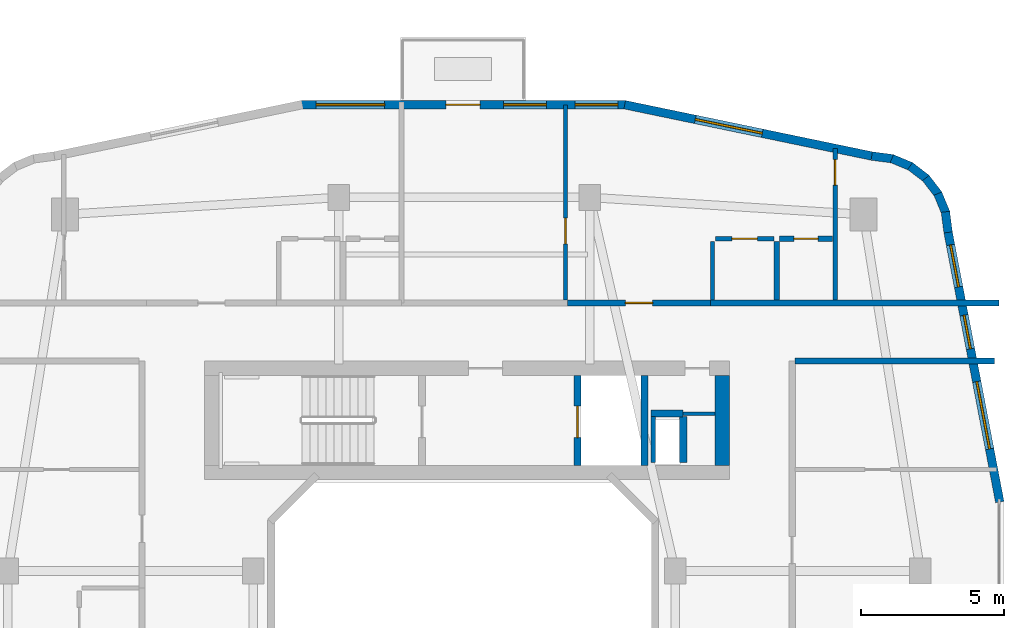
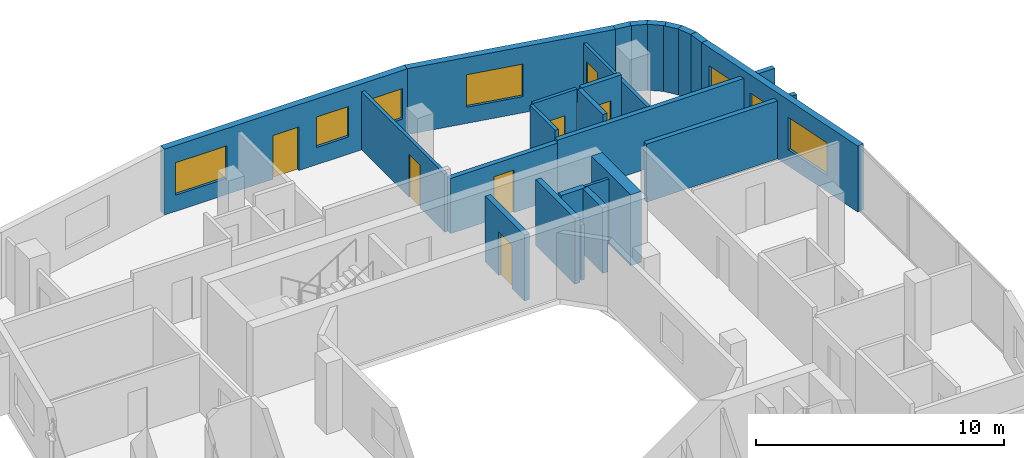
# One storey, part 16 of 22: 25 walls, 7 doors, 7 windows, 14 openings.
"""IFC4 building model written with IfcOpenShell, lengths in metres."""

from ifc_helpers import new_model, si_unit, derived_unit, direction, frame, frame_2d, origin, place, context, subcontext, project, spatial, rectangle, extrude, material, layer, layer_set, type_object, element, fill, save


model = new_model("IFC4")

# Units and contexts
model_context = context("Model", 3, precision=1e-05, world=origin(), true_north=direction((0.0, 1.0)))
body_context = subcontext(model_context, "Body", "Model", "MODEL_VIEW")
ifc_project = project(units=[si_unit("LENGTHUNIT", "METRE"), si_unit("AREAUNIT", "SQUARE_METRE"), si_unit("VOLUMEUNIT", "CUBIC_METRE"), si_unit("PLANEANGLEUNIT", "RADIAN"), si_unit("MASSUNIT", "GRAM", prefix="KILO"), derived_unit("THERMALTRANSMITTANCEUNIT", [(si_unit("POWERUNIT", "WATT"), 1), (si_unit("LENGTHUNIT", "METRE"), -2), (si_unit("THERMODYNAMICTEMPERATUREUNIT", "KELVIN"), -1)])], contexts=[model_context])

# Site, building, storey
site_placement = place(None, origin())
site = spatial("IfcSite", under=ifc_project, at=site_placement, CompositionType="ELEMENT")
building_placement = place(site_placement, origin())
building = spatial("IfcBuilding", under=site, at=building_placement, Name="Kivonza Crest Hotel", CompositionType="ELEMENT")
storey_placement = place(building_placement, frame((0.0, 0.0, 59.0)))
storey = spatial("IfcBuildingStorey", under=building, at=storey_placement, Name="L15", CompositionType="ELEMENT", Elevation=59.0)

# Wall
ifc_material_1 = material(Name="Autoclaved aerated concrete blockwork", Category="masonry")
ifc_layer_1 = layer(ifc_material_1, 0.219970703125)
ifc_layer_set_1 = layer_set([ifc_layer_1], Name="Autoclaved aerated concrete blockwork")
wall_type_1 = type_object("IfcWallType", Name="WL-ACOU-220", PredefinedType="SOLIDWALL", material=ifc_layer_set_1)
wall_1_placement = place(storey_placement, frame((85.6298828125, 37.89990234375, 0.0), z_axis=(0.0, 0.0, 1.0), x_axis=(1.0, 0.0, 0.0)))
element("IfcWall", 1, at=wall_1_placement, inside=storey, type_object=wall_type_1, Name="L15 interior partition WA-L15-A02-RCORR", PredefinedType="SOLIDWALL", context=body_context, shape_type="SweptSolid", body=[
    extrude(rectangle(XDim=10.130126953125, YDim=0.219970703125, at=frame_2d((5.06494140625, 0.0))), origin(), (0.0, 0.0, 1.0), 2.864990234375),
])

# Wall, opening, door
wall_2_placement = place(storey_placement, frame((80.6298828125, 37.89990234375, 0.0), z_axis=(0.0, 0.0, 1.0), x_axis=(1.0, 0.0, 0.0)))
wall_2 = element("IfcWall", 2, at=wall_2_placement, inside=storey, type_object=wall_type_1, Name="L15 interior partition WA-L15-A02-MCORR", PredefinedType="SOLIDWALL", context=body_context, shape_type="SweptSolid", body=[
    extrude(rectangle(XDim=5.0, YDim=0.219970703125, at=frame_2d((2.5, 0.0))), origin(), (0.0, 0.0, 1.0), 2.72509765625),
])
opening_1_placement = place(wall_2_placement, frame((2.02490234375, 0.0, 0.0)))
opening_1 = element("IfcOpeningElement", 3, at=opening_1_placement, cuts=wall_2, Name="Opening DU-60", PredefinedType="OPENING", context=body_context, shape_type="SweptSolid", body=[
    extrude(rectangle(XDim=0.949951171875, YDim=2.10009765625, at=frame_2d((0.47509765625, 1.050048828125))), frame((0.0, 0.1201171875, 0.0), z_axis=(0.0, -1.0, 0.0), x_axis=(1.0, 0.0, 0.0)), (0.0, 0.0, 1.0), 0.239990234375),
])
ifc_material_2 = material(Name="Hardwood timber oak", Category="wood")
door_type_1 = type_object("IfcDoorType", Name="DR-UNIT-950", OperationType="NOTDEFINED", PredefinedType="DOOR", material=ifc_material_2)
door_1_placement = place(opening_1_placement, origin())
door_1 = element("IfcDoor", 4, at=door_1_placement, inside=storey, type_object=door_type_1, Name="L15 A02 apartment entrance fire door", OperationType="SINGLE_SWING_RIGHT", OverallHeight=2.10009765625, OverallWidth=0.949951171875, PredefinedType="DOOR", context=body_context, shape_type="SweptSolid", body=[
    extrude(rectangle(XDim=0.949951171875, YDim=2.10009765625, at=frame_2d((0.47509765625, 1.050048828125))), frame((0.0, 0.02490234375, 0.0), z_axis=(0.0, -1.0, 0.0), x_axis=(1.0, 0.0, 0.0)), (0.0, 0.0, 1.0), 0.050048828125),
])
fill(opening_1, door_1)

# Walls
wall_3_placement = place(storey_placement, frame((88.60009765625, 35.860107421875, 0.0), z_axis=(0.0, 0.0, 1.0), x_axis=(1.0, 0.0, 0.0)))
element("IfcWall", 5, at=wall_3_placement, inside=storey, type_object=wall_type_1, Name="L15 interior partition WA-L15-T2E-ENDN", PredefinedType="SOLIDWALL", context=body_context, shape_type="SweptSolid", body=[
    extrude(rectangle(XDim=7.0, YDim=0.219970703125, at=frame_2d((3.5, 0.0))), origin(), (0.0, 0.0, 1.0), 2.864990234375),
])
ifc_material_3 = material(Name="Concrete C60/75", Category="concrete")
ifc_layer_2 = layer(ifc_material_3, 0.5)
ifc_layer_set_2 = layer_set([ifc_layer_2], Name="Concrete C60/75")
wall_type_2 = type_object("IfcWallType", Name="WL-CORE-500", PredefinedType="SHEAR", material=ifc_layer_set_2)
wall_4_placement = place(storey_placement, frame((86.050048828125, 32.199951171875, 0.0), z_axis=(0.0, 0.0, 1.0), x_axis=(0.0, 1.0, 0.0)))
element("IfcWall", 6, at=wall_4_placement, inside=storey, type_object=wall_type_2, Name="Core wall T2-N East L15", PredefinedType="SHEAR", context=body_context, shape_type="SweptSolid", body=[
    extrude(rectangle(XDim=3.16015625, YDim=0.5, at=frame_2d((1.580078125, 0.0))), origin(), (0.0, 0.0, 1.0), 3.5),
])

# Wall, openings, windows
ifc_material_4 = material(Name="Precast concrete C40/50", Category="concrete")
ifc_layer_3 = layer(ifc_material_4, 0.300048828125)
ifc_layer_set_3 = layer_set([ifc_layer_3], Name="Precast concrete C40/50")
wall_type_3 = type_object("IfcWallType", Name="WL-EXT-300", PredefinedType="STANDARD", material=ifc_layer_set_3)
wall_5_placement = place(storey_placement, frame((95.782958984375, 30.91796875, 0.0), z_axis=(0.0, 0.0, 1.0), x_axis=(-0.188087874316, 0.982152203854, 0.0)))
wall_5 = element("IfcWall", 7, at=wall_5_placement, inside=storey, type_object=wall_type_3, Name="L15 T2 exterior insulated wall 18", PredefinedType="STANDARD", context=body_context, shape_type="SweptSolid", body=[
    extrude(rectangle(XDim=9.6337890625, YDim=0.300048828125, at=frame_2d((4.81689453125, 0.0))), origin(), (0.0, 0.0, 1.0), 3.25),
])
opening_2_placement = place(wall_5_placement, frame((1.89697265625, 0.0, 0.800048828125)))
opening_2 = element("IfcOpeningElement", 8, at=opening_2_placement, cuts=wall_5, Name="Opening WN-05", PredefinedType="OPENING", context=body_context, shape_type="SweptSolid", body=[
    extrude(rectangle(XDim=2.39990234375, YDim=1.60009765625, at=frame_2d((1.199951171875, 0.800048828125))), frame((0.0, 0.16015625, 0.0), z_axis=(0.0, -1.0, 0.0), x_axis=(1.0, 0.0, 0.0)), (0.0, 0.0, 1.0), 0.320068359375),
])
opening_3_placement = place(wall_5_placement, frame((5.469970703125, 0.0, 0.85009765625)))
opening_3 = element("IfcOpeningElement", 9, at=opening_3_placement, cuts=wall_5, Name="Opening WN-01", PredefinedType="OPENING", context=body_context, shape_type="SweptSolid", body=[
    extrude(rectangle(XDim=1.199951171875, YDim=1.5, at=frame_2d((0.60009765625, 0.75))), frame((0.0, 0.16015625, 0.0), z_axis=(0.0, -1.0, 0.0), x_axis=(1.0, 0.0, 0.0)), (0.0, 0.0, 1.0), 0.320068359375),
])
opening_4_placement = place(wall_5_placement, frame((7.681884765625, 0.0, 0.85009765625)))
opening_4 = element("IfcOpeningElement", 10, at=opening_4_placement, cuts=wall_5, Name="Opening WN-02", PredefinedType="OPENING", context=body_context, shape_type="SweptSolid", body=[
    extrude(rectangle(XDim=1.5, YDim=1.5, at=frame_2d((0.75, 0.75))), frame((0.0, 0.16015625, 0.0), z_axis=(0.0, -1.0, 0.0), x_axis=(1.0, 0.0, 0.0)), (0.0, 0.0, 1.0), 0.320068359375),
])
ifc_material_5 = material(Name="Thermally broken bronze aluminium and low-E double glazing", Category="aluminium")
window_type_1 = type_object("IfcWindowType", Name="WN-120x150", PartitioningType="SINGLE_PANEL", PredefinedType="WINDOW", material=ifc_material_5)
window_1_placement = place(opening_3_placement, origin())
window_1 = element("IfcWindow", 11, at=window_1_placement, inside=storey, type_object=window_type_1, Name="L15 T2 facade window 18 bay 2", OverallHeight=1.5, OverallWidth=1.199951171875, PartitioningType="SINGLE_PANEL", PredefinedType="WINDOW", context=body_context, shape_type="SweptSolid", body=[
    extrude(rectangle(XDim=1.199951171875, YDim=1.5, at=frame_2d((0.60009765625, 0.75))), frame((0.0, 0.030029296875, 0.0), z_axis=(0.0, -1.0, 0.0), x_axis=(1.0, 0.0, 0.0)), (0.0, 0.0, 1.0), 0.06005859375),
])
fill(opening_3, window_1)
window_type_2 = type_object("IfcWindowType", Name="WN-150x150", PartitioningType="DOUBLE_PANEL_VERTICAL", PredefinedType="WINDOW", material=ifc_material_5)
window_2_placement = place(opening_4_placement, origin())
window_2 = element("IfcWindow", 12, at=window_2_placement, inside=storey, type_object=window_type_2, Name="L15 T2 facade window 18 bay 3", OverallHeight=1.5, OverallWidth=1.5, PartitioningType="SINGLE_PANEL", PredefinedType="WINDOW", context=body_context, shape_type="SweptSolid", body=[
    extrude(rectangle(XDim=1.5, YDim=1.5, at=frame_2d((0.75, 0.75))), frame((0.0, 0.030029296875, 0.0), z_axis=(0.0, -1.0, 0.0), x_axis=(1.0, 0.0, 0.0)), (0.0, 0.0, 1.0), 0.06005859375),
])
fill(opening_4, window_2)
window_type_3 = type_object("IfcWindowType", Name="WN-240x160", PartitioningType="TRIPLE_PANEL_VERTICAL", PredefinedType="WINDOW", material=ifc_material_5)
window_3_placement = place(opening_2_placement, origin())
window_3 = element("IfcWindow", 13, at=window_3_placement, inside=storey, type_object=window_type_3, Name="L15 T2 facade window 18 bay 1", OverallHeight=1.60009765625, OverallWidth=2.39990234375, PartitioningType="SINGLE_PANEL", PredefinedType="WINDOW", context=body_context, shape_type="SweptSolid", body=[
    extrude(rectangle(XDim=2.39990234375, YDim=1.60009765625, at=frame_2d((1.199951171875, 0.800048828125))), frame((0.0, 0.030029296875, 0.0), z_axis=(0.0, -1.0, 0.0), x_axis=(1.0, 0.0, 0.0)), (0.0, 0.0, 1.0), 0.06005859375),
])
fill(opening_2, window_3)

# Walls
wall_6_placement = place(storey_placement, frame((93.971923828125, 40.373046875, 0.0), z_axis=(0.0, 0.0, 1.0), x_axis=(-0.130255288807, 0.991480488834, 0.0)))
element("IfcWall", 14, at=wall_6_placement, inside=storey, type_object=wall_type_3, Name="L15 T2 exterior insulated wall 19", PredefinedType="STANDARD", context=body_context, shape_type="SweptSolid", body=[
    extrude(rectangle(XDim=0.72900390625, YDim=0.300048828125, at=frame_2d((0.364501953125, 0.0))), origin(), (0.0, 0.0, 1.0), 3.25),
])
wall_7_placement = place(storey_placement, frame((93.89599609375, 41.044921875, 0.0), z_axis=(0.0, 0.0, 1.0), x_axis=(-0.383267045233, 0.923637576129, 0.0)))
element("IfcWall", 15, at=wall_7_placement, inside=storey, type_object=wall_type_3, Name="L15 T2 exterior insulated wall 20", PredefinedType="STANDARD", context=body_context, shape_type="SweptSolid", body=[
    extrude(rectangle(XDim=0.745849609375, YDim=0.300048828125, at=frame_2d((0.373046875, 0.0))), origin(), (0.0, 0.0, 1.0), 3.25),
])
for number, where, z_axis, x_axis, name in (
    (16, (93.64111328125, 41.68896484375, 0.0), (0.0, 0.0, 1.0), (-0.608603261071, 0.793474681772, 0.0), "L15 T2 exterior insulated wall 21"),
    (17, (93.22900390625, 42.24609375, 0.0), (0.0, 0.0, 1.0), (-0.79363269798, 0.608397189915, 0.0), "L15 T2 exterior insulated wall 22"),
):
    element("IfcWall", number, at=place(storey_placement, frame(where, z_axis=z_axis, x_axis=x_axis)), inside=storey, type_object=wall_type_3, Name=name, PredefinedType="STANDARD", context=body_context, shape_type="SweptSolid", body=[
        extrude(rectangle(XDim=0.74609375, YDim=0.300048828125, at=frame_2d((0.373046875, 0.0))), origin(), (0.0, 0.0, 1.0), 3.25),
    ])
wall_8_placement = place(storey_placement, frame((92.68603515625, 42.676025390625, 0.0), z_axis=(0.0, 0.0, 1.0), x_axis=(-0.923637576129, 0.383267045233, 0.0)))
element("IfcWall", 18, at=wall_8_placement, inside=storey, type_object=wall_type_3, Name="L15 T2 exterior insulated wall 23", PredefinedType="STANDARD", context=body_context, shape_type="SweptSolid", body=[
    extrude(rectangle(XDim=0.745849609375, YDim=0.300048828125, at=frame_2d((0.373046875, 0.0))), origin(), (0.0, 0.0, 1.0), 3.25),
])
wall_9_placement = place(storey_placement, frame((92.051025390625, 42.952880859375, 0.0), z_axis=(0.0, 0.0, 1.0), x_axis=(-0.991559404866, 0.129653178221, 0.0)))
element("IfcWall", 19, at=wall_9_placement, inside=storey, type_object=wall_type_3, Name="L15 T2 exterior insulated wall 24", PredefinedType="STANDARD", context=body_context, shape_type="SweptSolid", body=[
    extrude(rectangle(XDim=0.764404296875, YDim=0.300048828125, at=frame_2d((0.38232421875, 0.0))), origin(), (0.0, 0.0, 1.0), 3.25),
])

# Wall, opening, window
wall_10_placement = place(storey_placement, frame((91.298095703125, 43.051025390625, 0.0), z_axis=(0.0, 0.0, 1.0), x_axis=(-0.979120793441, 0.203279295189, 0.0)))
wall_10 = element("IfcWall", 20, at=wall_10_placement, inside=storey, type_object=wall_type_3, Name="L15 T2 exterior insulated wall 25", PredefinedType="STANDARD", context=body_context, shape_type="SweptSolid", body=[
    extrude(rectangle(XDim=8.85498046875, YDim=0.300048828125, at=frame_2d((4.427490234375, 0.0))), origin(), (0.0, 0.0, 1.0), 3.25),
])
opening_5_placement = place(wall_10_placement, frame((3.925048828125, 0.0, 0.800048828125)))
opening_5 = element("IfcOpeningElement", 21, at=opening_5_placement, cuts=wall_10, Name="Opening WN-05", PredefinedType="OPENING", context=body_context, shape_type="SweptSolid", body=[
    extrude(rectangle(XDim=2.39990234375, YDim=1.60009765625, at=frame_2d((1.199951171875, 0.800048828125))), frame((0.0, 0.16015625, 0.0), z_axis=(0.0, -1.0, 0.0), x_axis=(1.0, 0.0, 0.0)), (0.0, 0.0, 1.0), 0.320068359375),
])
window_4_placement = place(opening_5_placement, origin())
window_4 = element("IfcWindow", 22, at=window_4_placement, inside=storey, type_object=window_type_3, Name="L15 T2 facade window 25", OverallHeight=1.60009765625, OverallWidth=2.39990234375, PartitioningType="SINGLE_PANEL", PredefinedType="WINDOW", context=body_context, shape_type="SweptSolid", body=[
    extrude(rectangle(XDim=2.39990234375, YDim=1.60009765625, at=frame_2d((1.199951171875, 0.800048828125))), frame((0.0, 0.030029296875, 0.0), z_axis=(0.0, -1.0, 0.0), x_axis=(1.0, 0.0, 0.0)), (0.0, 0.0, 1.0), 0.06005859375),
])
fill(opening_5, window_4)

# Wall, openings, door, windows
wall_11_placement = place(storey_placement, frame((82.673095703125, 44.85009765625, 0.0), z_axis=(0.0, 0.0, 1.0), x_axis=(-1.0, 0.0, 0.0)))
wall_11 = element("IfcWall", 23, at=wall_11_placement, inside=storey, type_object=wall_type_3, Name="L15 T2 exterior insulated wall 26", PredefinedType="STANDARD", context=body_context, shape_type="SweptSolid", body=[
    extrude(rectangle(XDim=11.39111328125, YDim=0.300048828125, at=frame_2d((5.695556640625, 0.0))), origin(), (0.0, 0.0, 1.0), 3.25),
])
opening_6_placement = place(wall_11_placement, frame((5.113037109375, 0.0, 0.0)))
opening_6 = element("IfcOpeningElement", 24, at=opening_6_placement, cuts=wall_11, Name="Opening DT-120", PredefinedType="OPENING", context=body_context, shape_type="SweptSolid", body=[
    extrude(rectangle(XDim=1.199951171875, YDim=2.14990234375, at=frame_2d((0.60009765625, 1.074951171875))), frame((0.0, 0.16015625, 0.0), z_axis=(0.0, -1.0, 0.0), x_axis=(1.0, 0.0, 0.0)), (0.0, 0.0, 1.0), 0.320068359375),
])
opening_7_placement = place(wall_11_placement, frame((0.281982421875, 0.0, 0.85009765625)))
opening_7 = element("IfcOpeningElement", 25, at=opening_7_placement, cuts=wall_11, Name="Opening WN-02", PredefinedType="OPENING", context=body_context, shape_type="SweptSolid", body=[
    extrude(rectangle(XDim=1.5, YDim=1.5, at=frame_2d((0.75, 0.75))), frame((0.0, 0.16015625, 0.0), z_axis=(0.0, -1.0, 0.0), x_axis=(1.0, 0.0, 0.0)), (0.0, 0.0, 1.0), 0.320068359375),
])
opening_8_placement = place(wall_11_placement, frame((2.79296875, 0.0, 0.85009765625)))
opening_8 = element("IfcOpeningElement", 26, at=opening_8_placement, cuts=wall_11, Name="Opening WN-02", PredefinedType="OPENING", context=body_context, shape_type="SweptSolid", body=[
    extrude(rectangle(XDim=1.5, YDim=1.5, at=frame_2d((0.75, 0.75))), frame((0.0, 0.16015625, 0.0), z_axis=(0.0, -1.0, 0.0), x_axis=(1.0, 0.0, 0.0)), (0.0, 0.0, 1.0), 0.320068359375),
])
opening_9_placement = place(wall_11_placement, frame((8.4619140625, 0.0, 0.800048828125)))
opening_9 = element("IfcOpeningElement", 27, at=opening_9_placement, cuts=wall_11, Name="Opening WN-05", PredefinedType="OPENING", context=body_context, shape_type="SweptSolid", body=[
    extrude(rectangle(XDim=2.39990234375, YDim=1.60009765625, at=frame_2d((1.199951171875, 0.800048828125))), frame((0.0, 0.16015625, 0.0), z_axis=(0.0, -1.0, 0.0), x_axis=(1.0, 0.0, 0.0)), (0.0, 0.0, 1.0), 0.320068359375),
])
ifc_material_6 = material(Name="Anodised bronze aluminium and laminated safety glass", Category="aluminium")
door_type_2 = type_object("IfcDoorType", Name="DR-TERR-1200", OperationType="NOTDEFINED", PredefinedType="DOOR", material=ifc_material_6)
door_2_placement = place(opening_6_placement, frame((1.199951171875, 0.0, 0.0), z_axis=(0.0, 0.0, 1.0), x_axis=(-1.0, 0.0, 0.0)))
door_2 = element("IfcDoor", 28, at=door_2_placement, inside=storey, type_object=door_type_2, Name="T2 L15 NE sky-garden bridge access door", OperationType="SINGLE_SWING_RIGHT", OverallHeight=2.14990234375, OverallWidth=1.199951171875, PredefinedType="DOOR", context=body_context, shape_type="SweptSolid", body=[
    extrude(rectangle(XDim=1.199951171875, YDim=2.14990234375, at=frame_2d((0.60009765625, 1.074951171875))), frame((0.0, 0.02490234375, 0.0), z_axis=(0.0, -1.0, 0.0), x_axis=(1.0, 0.0, 0.0)), (0.0, 0.0, 1.0), 0.050048828125),
])
fill(opening_6, door_2)
window_5_placement = place(opening_7_placement, origin())
window_5 = element("IfcWindow", 29, at=window_5_placement, inside=storey, type_object=window_type_2, Name="L15 T2 facade window 26 bay 1", OverallHeight=1.5, OverallWidth=1.5, PartitioningType="SINGLE_PANEL", PredefinedType="WINDOW", context=body_context, shape_type="SweptSolid", body=[
    extrude(rectangle(XDim=1.5, YDim=1.5, at=frame_2d((0.75, 0.75))), frame((0.0, 0.030029296875, 0.0), z_axis=(0.0, -1.0, 0.0), x_axis=(1.0, 0.0, 0.0)), (0.0, 0.0, 1.0), 0.06005859375),
])
fill(opening_7, window_5)
window_6_placement = place(opening_8_placement, origin())
window_6 = element("IfcWindow", 30, at=window_6_placement, inside=storey, type_object=window_type_2, Name="L15 T2 facade window 26 bay 2", OverallHeight=1.5, OverallWidth=1.5, PartitioningType="SINGLE_PANEL", PredefinedType="WINDOW", context=body_context, shape_type="SweptSolid", body=[
    extrude(rectangle(XDim=1.5, YDim=1.5, at=frame_2d((0.75, 0.75))), frame((0.0, 0.030029296875, 0.0), z_axis=(0.0, -1.0, 0.0), x_axis=(1.0, 0.0, 0.0)), (0.0, 0.0, 1.0), 0.06005859375),
])
fill(opening_8, window_6)
window_7_placement = place(opening_9_placement, origin())
window_7 = element("IfcWindow", 31, at=window_7_placement, inside=storey, type_object=window_type_3, Name="L15 T2 facade window 26 bay 3", OverallHeight=1.60009765625, OverallWidth=2.39990234375, PartitioningType="SINGLE_PANEL", PredefinedType="WINDOW", context=body_context, shape_type="SweptSolid", body=[
    extrude(rectangle(XDim=2.39990234375, YDim=1.60009765625, at=frame_2d((1.199951171875, 0.800048828125))), frame((0.0, 0.030029296875, 0.0), z_axis=(0.0, -1.0, 0.0), x_axis=(1.0, 0.0, 0.0)), (0.0, 0.0, 1.0), 0.06005859375),
])
fill(opening_9, window_7)

# Walls
ifc_material_7 = material(Name="Concrete blockwork fire-compartment wall", Category="masonry")
ifc_layer_4 = layer(ifc_material_7, 0.25)
ifc_layer_set_4 = layer_set([ifc_layer_4], Name="Concrete blockwork fire-compartment wall")
wall_type_4 = type_object("IfcWallType", Name="WL-FIRE-250", PredefinedType="SOLIDWALL", material=ifc_layer_set_4)
wall_12_placement = place(storey_placement, frame((84.679931640625, 32.300048828125, 0.0), z_axis=(0.0, 0.0, 1.0), x_axis=(0.0, 1.0, 0.0)))
element("IfcWall", 32, at=wall_12_placement, inside=storey, type_object=wall_type_4, Name="L15 interior partition WA-L15-T2-N-MEPR-E", PredefinedType="SOLIDWALL", context=body_context, shape_type="SweptSolid", body=[
    extrude(rectangle(XDim=1.619873046875, YDim=0.25, at=frame_2d((0.81005859375, 0.0))), origin(), (0.0, 0.0, 1.0), 3.219970703125),
])
wall_13_placement = place(storey_placement, frame((83.550048828125, 34.02001953125, 0.0), z_axis=(0.0, 0.0, 1.0), x_axis=(1.0, 0.0, 0.0)))
element("IfcWall", 33, at=wall_13_placement, inside=storey, type_object=wall_type_4, Name="L15 interior partition WA-L15-T2-N-MEPR-H", PredefinedType="SOLIDWALL", context=body_context, shape_type="SweptSolid", body=[
    extrude(rectangle(XDim=1.1298828125, YDim=0.25, at=frame_2d((0.56494140625, 0.0))), origin(), (0.0, 0.0, 1.0), 3.219970703125),
])
ifc_material_8 = material(Name="Metal-stud gypsum board partition", Category="gypsum")
ifc_layer_5 = layer(ifc_material_8, 0.125)
ifc_layer_set_5 = layer_set([ifc_layer_5], Name="Metal-stud gypsum board partition")
wall_type_5 = type_object("IfcWallType", Name="WL-PART-125", PredefinedType="PARTITIONING", material=ifc_layer_set_5)
wall_14_placement = place(storey_placement, frame((84.679931640625, 34.02001953125, 0.0), z_axis=(0.0, 0.0, 1.0), x_axis=(1.0, 0.0, 0.0)))
element("IfcWall", 34, at=wall_14_placement, inside=storey, type_object=wall_type_5, Name="L15 interior partition WP-L15-T2-N-T2H", PredefinedType="PARTITIONING", context=body_context, shape_type="SweptSolid", body=[
    extrude(rectangle(XDim=1.1201171875, YDim=0.125, at=frame_2d((0.56005859375, 0.0))), origin(), (0.0, 0.0, 1.0), 3.219970703125),
])
ifc_material_9 = material(Name="Twin-stud acoustic gypsum board partition", Category="gypsum")
ifc_layer_6 = layer(ifc_material_9, 0.14990234375)
ifc_layer_set_6 = layer_set([ifc_layer_6], Name="Twin-stud acoustic gypsum board partition")
wall_type_6 = type_object("IfcWallType", Name="WL-PART-150", PredefinedType="PARTITIONING", material=ifc_layer_set_6)
wall_15_placement = place(storey_placement, frame((83.6298828125, 32.300048828125, 0.0), z_axis=(0.0, 0.0, 1.0), x_axis=(0.0, 1.0, 0.0)))
element("IfcWall", 35, at=wall_15_placement, inside=storey, type_object=wall_type_6, Name="L15 interior partition WA-L15-T2-N-MEPR-W", PredefinedType="PARTITIONING", context=body_context, shape_type="SweptSolid", body=[
    extrude(rectangle(XDim=1.619873046875, YDim=0.14990234375, at=frame_2d((0.81005859375, 0.0))), origin(), (0.0, 0.0, 1.0), 2.72509765625),
])

# Wall, opening, door
wall_16_placement = place(storey_placement, frame((80.550048828125, 38.0, 0.0), z_axis=(0.0, 0.0, 1.0), x_axis=(0.0, 1.0, 0.0)))
wall_16 = element("IfcWall", 36, at=wall_16_placement, inside=storey, type_object=wall_type_6, Name="L15 interior partition WP-L15-A02-BDW1", PredefinedType="PARTITIONING", context=body_context, shape_type="SweptSolid", body=[
    extrude(rectangle(XDim=6.840087890625, YDim=0.14990234375, at=frame_2d((3.419921875, 0.0))), origin(), (0.0, 0.0, 1.0), 2.864990234375),
])
opening_10_placement = place(wall_16_placement, frame((1.969970703125, 0.0, 0.0)))
opening_10 = element("IfcOpeningElement", 37, at=opening_10_placement, cuts=wall_16, Name="Opening DI-90", PredefinedType="OPENING", context=body_context, shape_type="SweptSolid", body=[
    extrude(rectangle(XDim=0.89990234375, YDim=2.10009765625, at=frame_2d((0.449951171875, 1.050048828125))), frame((0.0, 0.0849609375, 0.0), z_axis=(0.0, -1.0, 0.0), x_axis=(1.0, 0.0, 0.0)), (0.0, 0.0, 1.0), 0.169921875),
])
door_type_3 = type_object("IfcDoorType", Name="DR-INT-900", OperationType="NOTDEFINED", PredefinedType="DOOR", material=ifc_material_2)
door_3_placement = place(opening_10_placement, origin())
door_3 = element("IfcDoor", 38, at=door_3_placement, inside=storey, type_object=door_type_3, Name="L15 A02 bedroom 1 door", OperationType="SINGLE_SWING_LEFT", OverallHeight=2.10009765625, OverallWidth=0.89990234375, PredefinedType="DOOR", context=body_context, shape_type="SweptSolid", body=[
    extrude(rectangle(XDim=0.89990234375, YDim=2.10009765625, at=frame_2d((0.449951171875, 1.050048828125))), frame((0.0, 0.02490234375, 0.0), z_axis=(0.0, -1.0, 0.0), x_axis=(1.0, 0.0, 0.0)), (0.0, 0.0, 1.0), 0.050048828125),
])
fill(opening_10, door_3)

wall_17_placement = place(storey_placement, frame((90.010009765625, 38.0, 0.0), z_axis=(0.0, 0.0, 1.0), x_axis=(0.0, 1.0, 0.0)))
wall_17 = element("IfcWall", 39, at=wall_17_placement, inside=storey, type_object=wall_type_6, Name="L15 interior partition WP-L15-A02-BDW2", PredefinedType="PARTITIONING", context=body_context, shape_type="SweptSolid", body=[
    extrude(rectangle(XDim=5.31103515625, YDim=0.14990234375, at=frame_2d((2.655517578125, 0.0))), origin(), (0.0, 0.0, 1.0), 2.864990234375),
])
opening_11_placement = place(wall_17_placement, frame((4.030029296875, 0.0, 0.0)))
opening_11 = element("IfcOpeningElement", 40, at=opening_11_placement, cuts=wall_17, Name="Opening DI-90", PredefinedType="OPENING", context=body_context, shape_type="SweptSolid", body=[
    extrude(rectangle(XDim=0.89990234375, YDim=2.10009765625, at=frame_2d((0.449951171875, 1.050048828125))), frame((0.0, 0.0849609375, 0.0), z_axis=(0.0, -1.0, 0.0), x_axis=(1.0, 0.0, 0.0)), (0.0, 0.0, 1.0), 0.169921875),
])
door_4_placement = place(opening_11_placement, origin())
door_4 = element("IfcDoor", 41, at=door_4_placement, inside=storey, type_object=door_type_3, Name="L15 A02 bedroom 2 door", OperationType="SINGLE_SWING_RIGHT", OverallHeight=2.10009765625, OverallWidth=0.89990234375, PredefinedType="DOOR", context=body_context, shape_type="SweptSolid", body=[
    extrude(rectangle(XDim=0.89990234375, YDim=2.10009765625, at=frame_2d((0.449951171875, 1.050048828125))), frame((0.0, 0.02490234375, 0.0), z_axis=(0.0, -1.0, 0.0), x_axis=(1.0, 0.0, 0.0)), (0.0, 0.0, 1.0), 0.050048828125),
])
fill(opening_11, door_4)

# Wall
wall_18_placement = place(storey_placement, frame((85.7099609375, 38.0, 0.0), z_axis=(0.0, 0.0, 1.0), x_axis=(0.0, 1.0, 0.0)))
element("IfcWall", 42, at=wall_18_placement, inside=storey, type_object=wall_type_6, Name="L15 interior partition WP-L15-A02-KF", PredefinedType="PARTITIONING", context=body_context, shape_type="SweptSolid", body=[
    extrude(rectangle(XDim=2.050048828125, YDim=0.14990234375, at=frame_2d((1.02490234375, 0.0))), origin(), (0.0, 0.0, 1.0), 3.219970703125),
])

# Wall, opening, door
wall_19_placement = place(storey_placement, frame((85.81005859375, 40.14990234375, 0.0), z_axis=(0.0, 0.0, 1.0), x_axis=(1.0, 0.0, 0.0)))
wall_19 = element("IfcWall", 43, at=wall_19_placement, inside=storey, type_object=wall_type_6, Name="L15 interior partition WP-L15-A02-KSVC", PredefinedType="PARTITIONING", context=body_context, shape_type="SweptSolid", body=[
    extrude(rectangle(XDim=2.050048828125, YDim=0.14990234375, at=frame_2d((1.02490234375, 0.0))), origin(), (0.0, 0.0, 1.0), 3.219970703125),
])
opening_12_placement = place(wall_19_placement, frame((0.574951171875, 0.0, 0.0)))
opening_12 = element("IfcOpeningElement", 44, at=opening_12_placement, cuts=wall_19, Name="Opening DI-90", PredefinedType="OPENING", context=body_context, shape_type="SweptSolid", body=[
    extrude(rectangle(XDim=0.89990234375, YDim=2.10009765625, at=frame_2d((0.449951171875, 1.050048828125))), frame((0.0, 0.0849609375, 0.0), z_axis=(0.0, -1.0, 0.0), x_axis=(1.0, 0.0, 0.0)), (0.0, 0.0, 1.0), 0.169921875),
])
door_5_placement = place(opening_12_placement, origin())
door_5 = element("IfcDoor", 45, at=door_5_placement, inside=storey, type_object=door_type_3, Name="L15 A02 apartment kitchen door", OperationType="SINGLE_SWING_RIGHT", OverallHeight=2.10009765625, OverallWidth=0.89990234375, PredefinedType="DOOR", context=body_context, shape_type="SweptSolid", body=[
    extrude(rectangle(XDim=0.89990234375, YDim=2.10009765625, at=frame_2d((0.449951171875, 1.050048828125))), frame((0.0, 0.02490234375, 0.0), z_axis=(0.0, -1.0, 0.0), x_axis=(1.0, 0.0, 0.0)), (0.0, 0.0, 1.0), 0.050048828125),
])
fill(opening_12, door_5)

# Wall
ifc_material_10 = material(Name="Moisture-resistant plumbing chase partition wall", Category="gypsum")
ifc_layer_7 = layer(ifc_material_10, 0.199951171875)
ifc_layer_set_7 = layer_set([ifc_layer_7], Name="Moisture-resistant plumbing chase partition wall")
wall_type_7 = type_object("IfcWallType", Name="WL-PLUMB-200", PredefinedType="PLUMBINGWALL", material=ifc_layer_set_7)
wall_20_placement = place(storey_placement, frame((87.9599609375, 38.0, 0.0), z_axis=(0.0, 0.0, 1.0), x_axis=(0.0, 1.0, 0.0)))
element("IfcWall", 46, at=wall_20_placement, inside=storey, type_object=wall_type_7, Name="L15 interior partition WW-L15-A02-BK", PredefinedType="PLUMBINGWALL", context=body_context, shape_type="SweptSolid", body=[
    extrude(rectangle(XDim=2.050048828125, YDim=0.199951171875, at=frame_2d((1.02490234375, 0.0))), origin(), (0.0, 0.0, 1.0), 3.219970703125),
])

# Wall, opening, door
wall_21_placement = place(storey_placement, frame((88.06005859375, 40.14990234375, 0.0), z_axis=(0.0, 0.0, 1.0), x_axis=(1.0, 0.0, 0.0)))
wall_21 = element("IfcWall", 47, at=wall_21_placement, inside=storey, type_object=wall_type_7, Name="L15 interior partition WW-L15-A02-BSVC", PredefinedType="PLUMBINGWALL", context=body_context, shape_type="SweptSolid", body=[
    extrude(rectangle(XDim=1.849853515625, YDim=0.199951171875, at=frame_2d((0.9248046875, 0.0))), origin(), (0.0, 0.0, 1.0), 3.219970703125),
])
opening_13_placement = place(wall_21_placement, frame((0.5, 0.0, 0.0)))
opening_13 = element("IfcOpeningElement", 48, at=opening_13_placement, cuts=wall_21, Name="Opening DI-85", PredefinedType="OPENING", context=body_context, shape_type="SweptSolid", body=[
    extrude(rectangle(XDim=0.85009765625, YDim=2.10009765625, at=frame_2d((0.425048828125, 1.050048828125))), frame((0.0, 0.10986328125, 0.0), z_axis=(0.0, -1.0, 0.0), x_axis=(1.0, 0.0, 0.0)), (0.0, 0.0, 1.0), 0.219970703125),
])
door_type_4 = type_object("IfcDoorType", Name="DR-INT-850", OperationType="NOTDEFINED", PredefinedType="DOOR", material=ifc_material_2)
door_6_placement = place(opening_13_placement, origin())
door_6 = element("IfcDoor", 49, at=door_6_placement, inside=storey, type_object=door_type_4, Name="L15 A02 apartment bathroom door", OperationType="SINGLE_SWING_LEFT", OverallHeight=2.10009765625, OverallWidth=0.85009765625, PredefinedType="DOOR", context=body_context, shape_type="SweptSolid", body=[
    extrude(rectangle(XDim=0.85009765625, YDim=2.10009765625, at=frame_2d((0.425048828125, 1.050048828125))), frame((0.0, 0.02490234375, 0.0), z_axis=(0.0, -1.0, 0.0), x_axis=(1.0, 0.0, 0.0)), (0.0, 0.0, 1.0), 0.050048828125),
])
fill(opening_13, door_6)

ifc_material_11 = material(Name="Concrete C50/60", Category="concrete")
ifc_layer_8 = layer(ifc_material_11, 0.25)
ifc_layer_set_8 = layer_set([ifc_layer_8], Name="Concrete C50/60")
wall_type_8 = type_object("IfcWallType", Name="WL-SHAFT-250", PredefinedType="STANDARD", material=ifc_layer_set_8)
wall_22_placement = place(storey_placement, frame((80.97509765625, 32.199951171875, 0.0), z_axis=(0.0, 0.0, 1.0), x_axis=(0.0, 1.0, 0.0)))
wall_22 = element("IfcWall", 50, at=wall_22_placement, inside=storey, type_object=wall_type_8, Name="Core shaft wall T2-N FFL-W L15", PredefinedType="STANDARD", context=body_context, shape_type="SweptSolid", body=[
    extrude(rectangle(XDim=3.16015625, YDim=0.25, at=frame_2d((1.580078125, 0.0))), origin(), (0.0, 0.0, 1.0), 3.25),
])
opening_14_placement = place(wall_22_placement, frame((0.97998046875, 0.0, 0.0)))
opening_14 = element("IfcOpeningElement", 51, at=opening_14_placement, cuts=wall_22, Name="Opening LD-120", PredefinedType="OPENING", context=body_context, shape_type="SweptSolid", body=[
    extrude(rectangle(XDim=1.10009765625, YDim=2.14990234375, at=frame_2d((0.550048828125, 1.074951171875))), frame((0.0, 0.135009765625, 0.0), z_axis=(0.0, -1.0, 0.0), x_axis=(1.0, 0.0, 0.0)), (0.0, 0.0, 1.0), 0.27001953125),
])
ifc_material_12 = material(Name="Stainless steel", Category="steel")
door_type_5 = type_object("IfcDoorType", Name="DR-LD120-1100", OperationType="NOTDEFINED", PredefinedType="DOOR", material=ifc_material_12)
door_7_placement = place(opening_14_placement, origin())
door_7 = element("IfcDoor", 52, at=door_7_placement, inside=storey, type_object=door_type_5, Name="L15 FFL-T2 firefighting lift sliding landing door", OperationType="DOUBLE_DOOR_SLIDING", OverallHeight=2.14990234375, OverallWidth=1.10009765625, PredefinedType="DOOR", context=body_context, shape_type="SweptSolid", body=[
    extrude(rectangle(XDim=1.10009765625, YDim=2.14990234375, at=frame_2d((0.550048828125, 1.074951171875))), frame((0.0, 0.02490234375, 0.0), z_axis=(0.0, -1.0, 0.0), x_axis=(1.0, 0.0, 0.0)), (0.0, 0.0, 1.0), 0.050048828125),
])
fill(opening_14, door_7)

# Wall
wall_23_placement = place(storey_placement, frame((83.324951171875, 32.199951171875, 0.0), z_axis=(0.0, 0.0, 1.0), x_axis=(0.0, 1.0, 0.0)))
element("IfcWall", 53, at=wall_23_placement, inside=storey, type_object=wall_type_8, Name="Core shaft wall T2-N FFL-E L15", PredefinedType="STANDARD", context=body_context, shape_type="SweptSolid", body=[
    extrude(rectangle(XDim=3.16015625, YDim=0.25, at=frame_2d((1.580078125, 0.0))), origin(), (0.0, 0.0, 1.0), 3.25),
])

save(model, "model.ifc")
